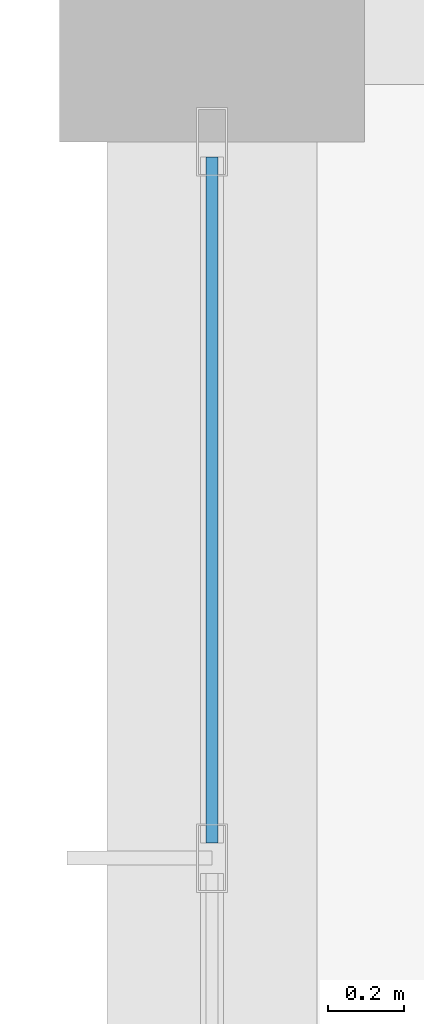
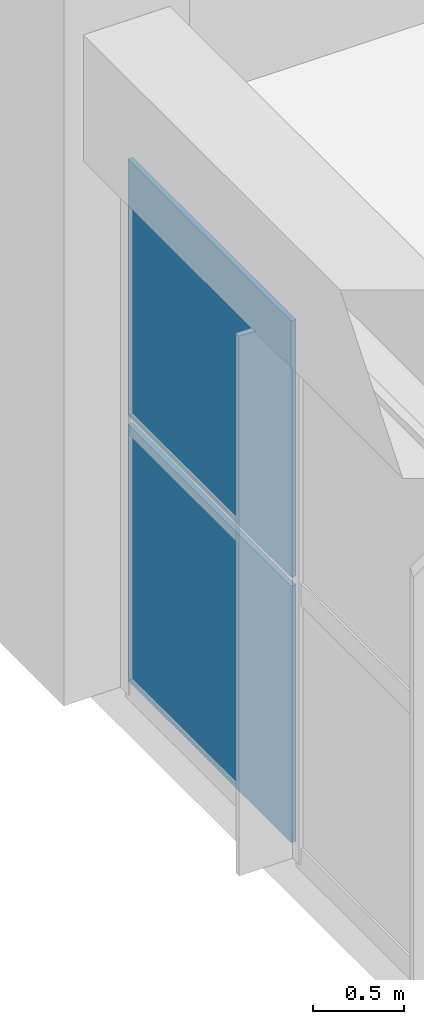
# One storey, part 107 of 139: 2 plates, 1 element without a shape of its own.
"""IFC4 building model written with IfcOpenShell, lengths in metres."""

from ifc_helpers import new_model, si_unit, direction, frame, origin, origin_2d, place, context, subcontext, project, spatial, rectangle, extrude, material, layer, layer_set, type_object, element, aggregate, save


model = new_model("IFC4")

# Units and contexts
model_context = context("Model", 3, precision=1e-05, world=origin(), true_north=direction((0.0, 1.0)))
body_context = subcontext(model_context, "Body", "Model", "MODEL_VIEW")
ifc_project = project(units=[si_unit("LENGTHUNIT", "METRE"), si_unit("AREAUNIT", "SQUARE_METRE"), si_unit("VOLUMEUNIT", "CUBIC_METRE"), si_unit("PLANEANGLEUNIT", "RADIAN"), si_unit("MASSUNIT", "GRAM", prefix="KILO")], contexts=[model_context])

# Site, building, storey
site_placement = place(None, origin())
site = spatial("IfcSite", under=ifc_project, at=site_placement, CompositionType="ELEMENT")
building_placement = place(site_placement, origin())
building = spatial("IfcBuilding", under=site, at=building_placement, Name="Zizhar Promenade General Hospital", CompositionType="ELEMENT")
storey_placement = place(building_placement, origin())
storey = spatial("IfcBuildingStorey", under=building, at=storey_placement, Name="L00", CompositionType="ELEMENT", Elevation=0.0)

# Curtain wall, plates
ifc_material_1 = material(Name="Anodised aluminium 6063-T6 and low-E glass", Category="aluminium")
ifc_layer_1 = layer(ifc_material_1, 0.159912109375)
ifc_layer_set_1 = layer_set([ifc_layer_1], Name="Anodised aluminium 6063-T6 and low-E glass")
curtain_wall_type = type_object("IfcCurtainWallType", Name="CW-DT-MOD1", PredefinedType="NOTDEFINED", material=ifc_layer_set_1)
curtain_wall_placement = place(storey_placement, origin())
curtain_wall = element("IfcCurtainWall", 1, at=curtain_wall_placement, inside=storey, type_object=curtain_wall_type, Name="Surgical West Glazed Curtain Wall L00-14", PredefinedType="NOTDEFINED")
ifc_material_2 = material(Name="Low-E solar-control glass", Category="glass")
ifc_layer_2 = layer(ifc_material_2, 0.031982421875)
ifc_layer_set_2 = layer_set([ifc_layer_2], Name="Low-E solar-control glass")
plate_type = type_object("IfcPlateType", Name="CWP-GLZ-32", PredefinedType="CURTAIN_PANEL", material=ifc_layer_set_2)
plate_1_placement = place(storey_placement, frame((46.800048828125, 124.659912109375, 0.06005859375), z_axis=(0.0, 0.0, 1.0), x_axis=(0.0, 1.0, 0.0)))
plate_1 = element("IfcPlate", 2, at=plate_1_placement, type_object=plate_type, Name="CW-07 panel 4.1", PredefinedType="CURTAIN_PANEL", context=body_context, shape_type="SweptSolid", body=[
    extrude(rectangle(XDim=1.800048828125, YDim=0.031982421875, at=origin_2d()), origin(), (0.0, 0.0, 1.0), 1.72509765625),
])
plate_2_placement = place(storey_placement, frame((46.800048828125, 124.659912109375, 1.844970703125), z_axis=(0.0, 0.0, 1.0), x_axis=(0.0, 1.0, 0.0)))
plate_2 = element("IfcPlate", 3, at=plate_2_placement, type_object=plate_type, Name="CW-07 panel 4.2", PredefinedType="CURTAIN_PANEL", context=body_context, shape_type="SweptSolid", body=[
    extrude(rectangle(XDim=1.800048828125, YDim=0.031982421875, at=origin_2d()), origin(), (0.0, 0.0, 1.0), 1.72509765625),
])
aggregate(curtain_wall, [plate_1, plate_2])

save(model, "model.ifc")
